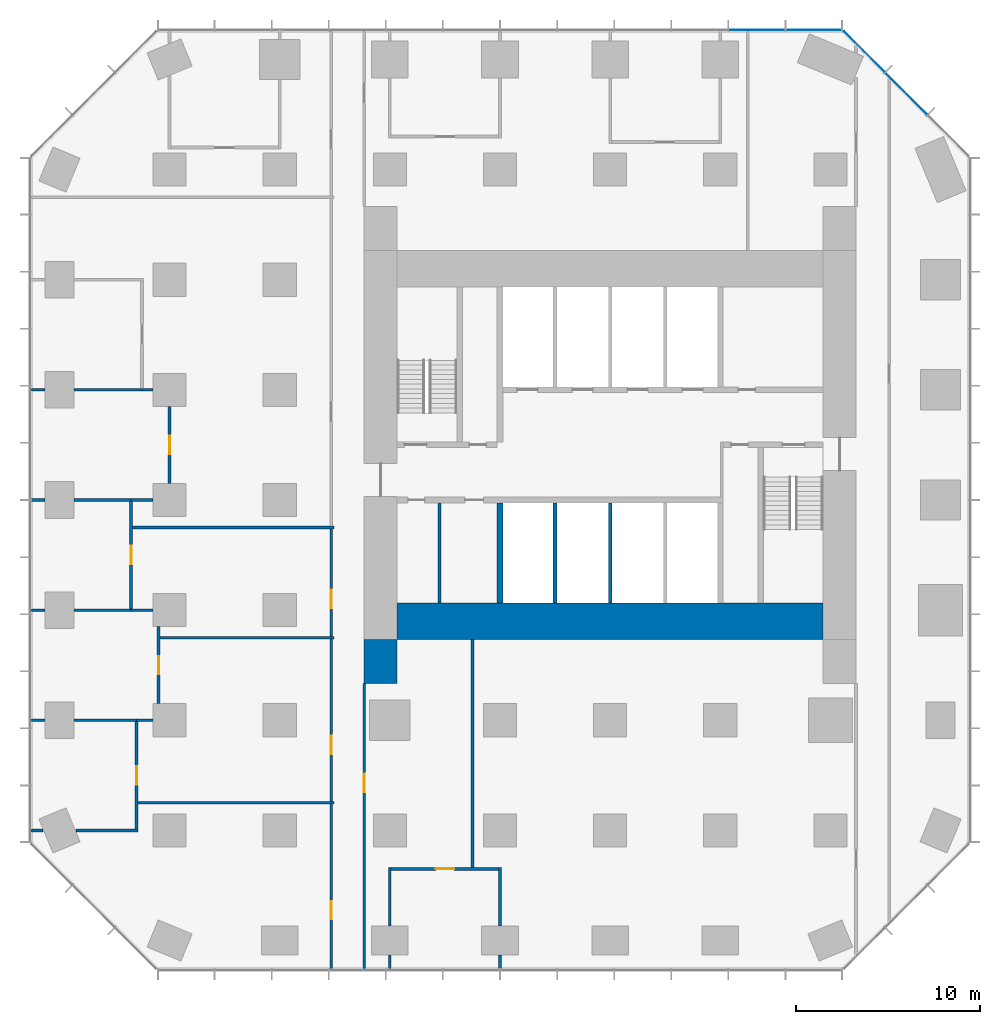
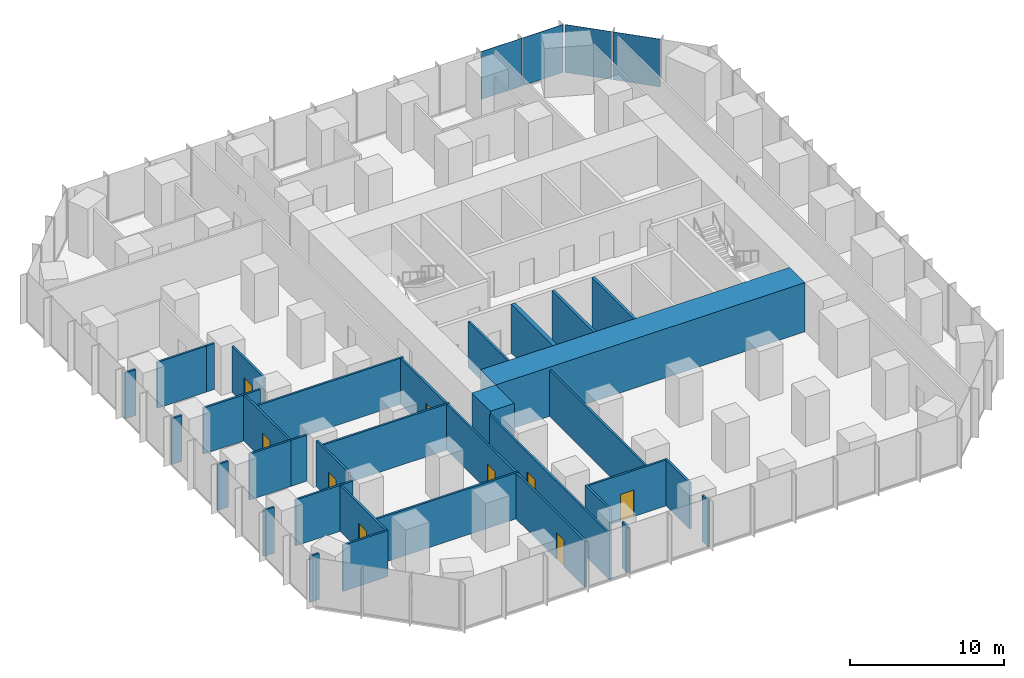
# One storey, part 8 of 11: 37 walls, 9 doors, 4 plates, 9 openings, 2 elements without a shape of their own.
"""IFC4 building model written with IfcOpenShell, lengths in metres."""

from ifc_helpers import new_model, si_unit, direction, frame, frame_2d, origin, origin_2d, place, context, subcontext, project, spatial, rectangle, extrude, material, layer, layer_set, type_object, element, fill, aggregate, save


model = new_model("IFC4")

# Units and contexts
model_context = context("Model", 3, precision=1e-05, world=origin(), true_north=direction((0.0, 1.0)))
body_context = subcontext(model_context, "Body", "Model", "MODEL_VIEW")
ifc_project = project(units=[si_unit("LENGTHUNIT", "METRE"), si_unit("AREAUNIT", "SQUARE_METRE"), si_unit("VOLUMEUNIT", "CUBIC_METRE"), si_unit("PLANEANGLEUNIT", "RADIAN"), si_unit("MASSUNIT", "GRAM", prefix="KILO")], contexts=[model_context])

# Site, building, storey
site_placement = place(None, origin())
site = spatial("IfcSite", under=ifc_project, at=site_placement, CompositionType="ELEMENT")
building_placement = place(site_placement, origin())
building = spatial("IfcBuilding", under=site, at=building_placement, Name="Highveld Stack Headquarters", CompositionType="ELEMENT")
storey_placement = place(building_placement, frame((0.0, 0.0, 29.89990234375)))
storey = spatial("IfcBuildingStorey", under=building, at=storey_placement, Name="L06", CompositionType="ELEMENT", Elevation=29.89990234375)

# Curtain wall, plates
ifc_material_1 = material(Name="Aluminium bronze anodised", Category="aluminium")
ifc_layer_1 = layer(ifc_material_1, 0.199951171875)
ifc_layer_set_1 = layer_set([ifc_layer_1], Name="Aluminium bronze anodised")
curtain_wall_type_1 = type_object("IfcCurtainWallType", Name="CW1 TOWER UNITISED CURTAIN WALL", PredefinedType="NOTDEFINED", material=ifc_layer_set_1)
curtain_wall_1_placement = place(storey_placement, origin())
curtain_wall_1 = element("IfcCurtainWall", 1, at=curtain_wall_1_placement, inside=storey, type_object=curtain_wall_type_1, Name="Curtain wall CW1 L06 N", PredefinedType="NOTDEFINED")
ifc_material_2 = material(Name="Glass bronze tinted double glazed unit", Category="glass")
ifc_layer_2 = layer(ifc_material_2, 0.028076171875)
ifc_layer_set_2 = layer_set([ifc_layer_2], Name="Glass bronze tinted double glazed unit")
plate_type_1 = type_object("IfcPlateType", Name="CW1 PANEL BRONZE TINTED DOUBLE GLAZED UNIT", PredefinedType="CURTAIN_PANEL", material=ifc_layer_set_2)
plate_1_placement = place(storey_placement, frame((17.09130859375, 25.60009765625, 0.10009765625), z_axis=(0.0, 0.0, 1.0), x_axis=(-1.0, 0.0, 0.0)))
plate_1 = element("IfcPlate", 2, at=plate_1_placement, type_object=plate_type_1, Name="CW1 panel L06 1.1", PredefinedType="CURTAIN_PANEL", context=body_context, shape_type="SweptSolid", body=[
    extrude(rectangle(XDim=3.012939453125, YDim=0.028076171875, at=origin_2d()), origin(), (0.0, 0.0, 1.0), 3.800048828125),
])
plate_2_placement = place(storey_placement, frame((13.9970703125, 25.60009765625, 0.10009765625), z_axis=(0.0, 0.0, 1.0), x_axis=(-1.0, 0.0, 0.0)))
plate_2 = element("IfcPlate", 3, at=plate_2_placement, type_object=plate_type_1, Name="CW1 panel L06 2.1", PredefinedType="CURTAIN_PANEL", context=body_context, shape_type="SweptSolid", body=[
    extrude(rectangle(XDim=3.04541015625, YDim=0.028076171875, at=origin_2d()), origin(), (0.0, 0.0, 1.0), 3.800048828125),
])
aggregate(curtain_wall_1, [plate_1, plate_2])

ifc_material_3 = material(Name="Aluminium bronze anodised", Category="aluminium")
ifc_layer_3 = layer(ifc_material_3, 0.199951171875)
ifc_layer_set_3 = layer_set([ifc_layer_3], Name="Aluminium bronze anodised")
curtain_wall_type_2 = type_object("IfcCurtainWallType", Name="CW2 TOWER CHAMFER UNITISED CURTAIN WALL", PredefinedType="NOTDEFINED", material=ifc_layer_set_3)
curtain_wall_2_placement = place(storey_placement, origin())
curtain_wall_2 = element("IfcCurtainWall", 4, at=curtain_wall_2_placement, inside=storey, type_object=curtain_wall_type_2, Name="Curtain wall CW2 L06 NE", PredefinedType="NOTDEFINED")
ifc_material_4 = material(Name="Glass bronze tinted double glazed unit", Category="glass")
ifc_layer_4 = layer(ifc_material_4, 0.028076171875)
ifc_layer_set_4 = layer_set([ifc_layer_4], Name="Glass bronze tinted double glazed unit")
plate_type_2 = type_object("IfcPlateType", Name="CW2 PANEL BRONZE TINTED DOUBLE GLAZED UNIT", PredefinedType="CURTAIN_PANEL", material=ifc_layer_set_4)
plate_3_placement = place(storey_placement, frame((22.13134765625, 22.13134765625, 0.10009765625), z_axis=(0.0, 0.0, 1.0), x_axis=(-0.707106781187, 0.707106781187, 0.0)))
plate_3 = element("IfcPlate", 5, at=plate_3_placement, type_object=plate_type_2, Name="CW2 panel L06 2.1", PredefinedType="CURTAIN_PANEL", context=body_context, shape_type="SweptSolid", body=[
    extrude(rectangle(XDim=3.205322265625, YDim=0.028076171875, at=origin_2d()), origin(), (0.0, 0.0, 1.0), 3.800048828125),
])
plate_4_placement = place(storey_placement, frame((19.8427734375, 24.419921875, 0.10009765625), z_axis=(0.0, 0.0, 1.0), x_axis=(-0.707106781187, 0.707106781187, 0.0)))
plate_4 = element("IfcPlate", 6, at=plate_4_placement, type_object=plate_type_2, Name="CW2 panel L06 3.1", PredefinedType="CURTAIN_PANEL", context=body_context, shape_type="SweptSolid", body=[
    extrude(rectangle(XDim=3.1376953125, YDim=0.028076171875, at=origin_2d()), origin(), (0.0, 0.0, 1.0), 3.800048828125),
])
aggregate(curtain_wall_2, [plate_3, plate_4])

# Walls
ifc_material_5 = material(Name="Concrete C60/75", Category="concrete")
ifc_layer_5 = layer(ifc_material_5, 2.0)
ifc_layer_set_5 = layer_set([ifc_layer_5], Name="Concrete C60/75")
wall_type_1 = type_object("IfcWallType", Name="CORE WALL 2000 C60/75", PredefinedType="SHEAR", material=ifc_layer_set_5)
wall_1_placement = place(storey_placement, frame((-5.60009765625, -6.60009765625, 0.0), z_axis=(0.0, 0.0, 1.0), x_axis=(1.0, 0.0, 0.0)))
element("IfcWall", 7, at=wall_1_placement, inside=storey, type_object=wall_type_1, Name="Core wall S L06", PredefinedType="SHEAR", context=body_context, shape_type="SweptSolid", body=[
    extrude(rectangle(XDim=23.2001953125, YDim=2.0, at=frame_2d((11.60009765625, 0.0))), origin(), (0.0, 0.0, 1.0), 3.900146484375),
])
ifc_material_6 = material(Name="Concrete C60/75", Category="concrete")
ifc_layer_6 = layer(ifc_material_6, 0.300048828125)
ifc_layer_set_6 = layer_set([ifc_layer_6], Name="Concrete C60/75")
wall_type_2 = type_object("IfcWallType", Name="CORE WALL 300 C60/75", PredefinedType="SHEAR", material=ifc_layer_set_6)
wall_2_placement = place(storey_placement, frame((0.0, -5.60009765625, 0.0), z_axis=(0.0, 0.0, 1.0), x_axis=(0.0, 1.0, 0.0)))
element("IfcWall", 8, at=wall_2_placement, inside=storey, type_object=wall_type_2, Name="Core wall I-X0S L06", PredefinedType="SHEAR", context=body_context, shape_type="SweptSolid", body=[
    extrude(rectangle(XDim=5.4501953125, YDim=0.300048828125, at=frame_2d((2.72509765625, 0.0))), origin(), (0.0, 0.0, 1.0), 3.900146484375),
])
ifc_material_7 = material(Name="Concrete C60/75", Category="concrete")
ifc_layer_7 = layer(ifc_material_7, 1.800048828125)
ifc_layer_set_7 = layer_set([ifc_layer_7], Name="Concrete C60/75")
wall_type_3 = type_object("IfcWallType", Name="CORE WING WALL 1800 C60/75", PredefinedType="SHEAR", material=ifc_layer_set_7)
wall_3_placement = place(storey_placement, frame((-6.5, -10.0, 0.0), z_axis=(0.0, 0.0, 1.0), x_axis=(0.0, 1.0, 0.0)))
element("IfcWall", 9, at=wall_3_placement, inside=storey, type_object=wall_type_3, Name="Core wing wall WS L06", PredefinedType="SHEAR", context=body_context, shape_type="SweptSolid", body=[
    extrude(rectangle(XDim=2.39990234375, YDim=1.800048828125, at=frame_2d((1.199951171875, 0.0))), origin(), (0.0, 0.0, 1.0), 3.900146484375),
])

# Wall, opening, door
ifc_material_8 = material(Name="Laminated glass in aluminium frame", Category="aluminium")
ifc_layer_8 = layer(ifc_material_8, 0.14990234375)
ifc_layer_set_8 = layer_set([ifc_layer_8], Name="Laminated glass in aluminium frame")
wall_type_4 = type_object("IfcWallType", Name="GLAZED PARTITION 150", PredefinedType="PARTITIONING", material=ifc_layer_set_8)
wall_4_placement = place(storey_placement, frame((-18.60009765625, -11.10009765625, 0.0), z_axis=(0.0, 0.0, 1.0), x_axis=(0.0, 1.0, 0.0)))
wall_4 = element("IfcWall", 10, at=wall_4_placement, inside=storey, type_object=wall_type_4, Name="Glazed partition Video conference room L06", PredefinedType="PARTITIONING", context=body_context, shape_type="SweptSolid", body=[
    extrude(rectangle(XDim=4.2001953125, YDim=0.14990234375, at=frame_2d((2.10009765625, 0.0))), origin(), (0.0, 0.0, 1.0), 3.650146484375),
])
opening_1_placement = place(wall_4_placement, frame((1.60009765625, 0.0, 0.0)))
opening_1 = element("IfcOpeningElement", 11, at=opening_1_placement, cuts=wall_4, Name="Opening L06-12", PredefinedType="OPENING", context=body_context, shape_type="SweptSolid", body=[
    extrude(rectangle(XDim=1.0, YDim=2.10009765625, at=frame_2d((0.5, 1.050048828125))), frame((0.0, 0.0849609375, 0.0), z_axis=(0.0, -1.0, 0.0), x_axis=(1.0, 0.0, 0.0)), (0.0, 0.0, 1.0), 0.169921875),
])
ifc_material_9 = material(Name="Timber door, oiled ash", Category="wood")
door_type = type_object("IfcDoorType", Name="ROOM DOOR D6 1000x2100", OperationType="SINGLE_SWING_LEFT", PredefinedType="DOOR", material=ifc_material_9)
door_1_placement = place(opening_1_placement, origin())
door_1 = element("IfcDoor", 12, at=door_1_placement, inside=storey, type_object=door_type, Name="Video conference room door 1 L06", OperationType="SINGLE_SWING_LEFT", OverallHeight=2.10009765625, OverallWidth=1.0, PredefinedType="DOOR", context=body_context, shape_type="SweptSolid", body=[
    extrude(rectangle(XDim=1.0, YDim=2.10009765625, at=frame_2d((0.5, 1.050048828125))), frame((0.0, 0.02490234375, 0.0), z_axis=(0.0, -1.0, 0.0), x_axis=(1.0, 0.0, 0.0)), (0.0, 0.0, 1.0), 0.050048828125),
])
fill(opening_1, door_1)

wall_5_placement = place(storey_placement, frame((-18.0, 0.89990234375, 0.0), z_axis=(0.0, 0.0, 1.0), x_axis=(0.0, 1.0, 0.0)))
wall_5 = element("IfcWall", 13, at=wall_5_placement, inside=storey, type_object=wall_type_4, Name="Glazed partition Meeting room L06", PredefinedType="PARTITIONING", context=body_context, shape_type="SweptSolid", body=[
    extrude(rectangle(XDim=4.2001953125, YDim=0.14990234375, at=frame_2d((2.10009765625, 0.0))), origin(), (0.0, 0.0, 1.0), 3.650146484375),
])
opening_2_placement = place(wall_5_placement, frame((1.60009765625, 0.0, 0.0)))
opening_2 = element("IfcOpeningElement", 14, at=opening_2_placement, cuts=wall_5, Name="Opening L06-14", PredefinedType="OPENING", context=body_context, shape_type="SweptSolid", body=[
    extrude(rectangle(XDim=1.0, YDim=2.10009765625, at=frame_2d((0.5, 1.050048828125))), frame((0.0, 0.0849609375, 0.0), z_axis=(0.0, -1.0, 0.0), x_axis=(1.0, 0.0, 0.0)), (0.0, 0.0, 1.0), 0.169921875),
])
door_2_placement = place(opening_2_placement, origin())
door_2 = element("IfcDoor", 15, at=door_2_placement, inside=storey, type_object=door_type, Name="Meeting room door 1 L06", OperationType="SINGLE_SWING_RIGHT", OverallHeight=2.10009765625, OverallWidth=1.0, PredefinedType="DOOR", context=body_context, shape_type="SweptSolid", body=[
    extrude(rectangle(XDim=1.0, YDim=2.10009765625, at=frame_2d((0.5, 1.050048828125))), frame((0.0, 0.02490234375, 0.0), z_axis=(0.0, -1.0, 0.0), x_axis=(1.0, 0.0, 0.0)), (0.0, 0.0, 1.0), 0.050048828125),
])
fill(opening_2, door_2)

# Walls
ifc_material_10 = material(Name="Concrete blockwork, fair-faced", Category="masonry")
ifc_layer_9 = layer(ifc_material_10, 0.199951171875)
ifc_layer_set_9 = layer_set([ifc_layer_9], Name="Concrete blockwork, fair-faced")
wall_type_5 = type_object("IfcWallType", Name="LIFT SHAFT ENCLOSURE WALL 200 BLOCKWORK", PredefinedType="SOLIDWALL", material=ifc_layer_set_9)
for number, where, z_axis, x_axis, name in (
    (16, (3.0, -5.60009765625, 0.0), (0.0, 0.0, 1.0), (0.0, 1.0, 0.0), "Lift shaft wall L06"),
    (17, (6.0, -5.60009765625, 0.0), (0.0, 0.0, 1.0), (0.0, 1.0, 0.0), "Lift shaft wall L06"),
):
    element("IfcWall", number, at=place(storey_placement, frame(where, z_axis=z_axis, x_axis=x_axis)), inside=storey, type_object=wall_type_5, Name=name, PredefinedType="SOLIDWALL", context=body_context, shape_type="SweptSolid", body=[
        extrude(rectangle(XDim=5.4501953125, YDim=0.199951171875, at=frame_2d((2.72509765625, 0.0))), origin(), (0.0, 0.0, 1.0), 3.900146484375),
    ])

# Wall, opening, door
ifc_material_11 = material(Name="Gypsum plasterboard on steel studs", Category="steel")
ifc_layer_10 = layer(ifc_material_11, 0.14990234375)
ifc_layer_set_10 = layer_set([ifc_layer_10], Name="Gypsum plasterboard on steel studs")
wall_type_6 = type_object("IfcWallType", Name="PARTITION 150 PLASTERBOARD", PredefinedType="PARTITIONING", material=ifc_layer_set_10)
wall_6_placement = place(storey_placement, frame((-5.925048828125, -20.10009765625, 0.0), z_axis=(0.0, 0.0, 1.0), x_axis=(1.0, 0.0, 0.0)))
wall_6 = element("IfcWall", 18, at=wall_6_placement, inside=storey, type_object=wall_type_6, Name="Partition Focus room L06", PredefinedType="PARTITIONING", context=body_context, shape_type="SweptSolid", body=[
    extrude(rectangle(XDim=5.85009765625, YDim=0.14990234375, at=frame_2d((2.925048828125, 0.0))), origin(), (0.0, 0.0, 1.0), 3.650146484375),
])
opening_3_placement = place(wall_6_placement, frame((2.425048828125, 0.0, 0.0)))
opening_3 = element("IfcOpeningElement", 19, at=opening_3_placement, cuts=wall_6, Name="Opening L06-10", PredefinedType="OPENING", context=body_context, shape_type="SweptSolid", body=[
    extrude(rectangle(XDim=1.0, YDim=2.10009765625, at=frame_2d((0.5, 1.050048828125))), frame((0.0, 0.0849609375, 0.0), z_axis=(0.0, -1.0, 0.0), x_axis=(1.0, 0.0, 0.0)), (0.0, 0.0, 1.0), 0.169921875),
])
door_3_placement = place(opening_3_placement, origin())
door_3 = element("IfcDoor", 20, at=door_3_placement, inside=storey, type_object=door_type, Name="Focus room door 1 L06", OperationType="SINGLE_SWING_RIGHT", OverallHeight=2.10009765625, OverallWidth=1.0, PredefinedType="DOOR", context=body_context, shape_type="SweptSolid", body=[
    extrude(rectangle(XDim=1.0, YDim=2.10009765625, at=frame_2d((0.5, 1.050048828125))), frame((0.0, 0.02490234375, 0.0), z_axis=(0.0, -1.0, 0.0), x_axis=(1.0, 0.0, 0.0)), (0.0, 0.0, 1.0), 0.050048828125),
])
fill(opening_3, door_3)

# Walls
wall_7_placement = place(storey_placement, frame((-25.60009765625, -18.0, 0.0), z_axis=(0.0, 0.0, 1.0), x_axis=(1.0, 0.0, 0.0)))
element("IfcWall", 21, at=wall_7_placement, inside=storey, type_object=wall_type_6, Name="Partition Print room L06", PredefinedType="PARTITIONING", context=body_context, shape_type="SweptSolid", body=[
    extrude(rectangle(XDim=0.703125, YDim=0.14990234375, at=frame_2d((0.3515625, 0.0))), origin(), (0.0, 0.0, 1.0), 3.650146484375),
])
wall_8_placement = place(storey_placement, frame((-23.10302734375, -18.0, 0.0), z_axis=(0.0, 0.0, 1.0), x_axis=(1.0, 0.0, 0.0)))
element("IfcWall", 22, at=wall_8_placement, inside=storey, type_object=wall_type_6, Name="Partition Print room L06", PredefinedType="PARTITIONING", context=body_context, shape_type="SweptSolid", body=[
    extrude(rectangle(XDim=3.3779296875, YDim=0.14990234375, at=frame_2d((1.68896484375, 0.0))), origin(), (0.0, 0.0, 1.0), 3.650146484375),
])
wall_9_placement = place(storey_placement, frame((-25.60009765625, -12.0, 0.0), z_axis=(0.0, 0.0, 1.0), x_axis=(1.0, 0.0, 0.0)))
element("IfcWall", 23, at=wall_9_placement, inside=storey, type_object=wall_type_6, Name="Partition Print room / Video conference room L06", PredefinedType="PARTITIONING", context=body_context, shape_type="SweptSolid", body=[
    extrude(rectangle(XDim=0.800048828125, YDim=0.14990234375, at=frame_2d((0.39990234375, 0.0))), origin(), (0.0, 0.0, 1.0), 3.650146484375),
])
wall_10_placement = place(storey_placement, frame((-23.199951171875, -12.0, 0.0), z_axis=(0.0, 0.0, 1.0), x_axis=(1.0, 0.0, 0.0)))
element("IfcWall", 24, at=wall_10_placement, inside=storey, type_object=wall_type_6, Name="Partition Print room / Video conference room L06", PredefinedType="PARTITIONING", context=body_context, shape_type="SweptSolid", body=[
    extrude(rectangle(XDim=3.474853515625, YDim=0.14990234375, at=frame_2d((1.7373046875, 0.0))), origin(), (0.0, 0.0, 1.0), 3.650146484375),
])
wall_11_placement = place(storey_placement, frame((-19.800048828125, -12.0, 0.0), z_axis=(0.0, 0.0, 1.0), x_axis=(1.0, 0.0, 0.0)))
element("IfcWall", 25, at=wall_11_placement, inside=storey, type_object=wall_type_6, Name="Partition Video conference room L06", PredefinedType="PARTITIONING", context=body_context, shape_type="SweptSolid", body=[
    extrude(rectangle(XDim=0.900146484375, YDim=0.14990234375, at=frame_2d((0.4501953125, 0.0))), origin(), (0.0, 0.0, 1.0), 3.650146484375),
])
wall_12_placement = place(storey_placement, frame((-25.60009765625, -6.0, 0.0), z_axis=(0.0, 0.0, 1.0), x_axis=(1.0, 0.0, 0.0)))
element("IfcWall", 26, at=wall_12_placement, inside=storey, type_object=wall_type_6, Name="Partition Focus room / Video conference room L06", PredefinedType="PARTITIONING", context=body_context, shape_type="SweptSolid", body=[
    extrude(rectangle(XDim=0.800048828125, YDim=0.14990234375, at=frame_2d((0.39990234375, 0.0))), origin(), (0.0, 0.0, 1.0), 3.650146484375),
])
wall_13_placement = place(storey_placement, frame((-23.199951171875, -6.0, 0.0), z_axis=(0.0, 0.0, 1.0), x_axis=(1.0, 0.0, 0.0)))
element("IfcWall", 27, at=wall_13_placement, inside=storey, type_object=wall_type_6, Name="Partition Focus room / Video conference room L06", PredefinedType="PARTITIONING", context=body_context, shape_type="SweptSolid", body=[
    extrude(rectangle(XDim=3.175048828125, YDim=0.14990234375, at=frame_2d((1.58740234375, 0.0))), origin(), (0.0, 0.0, 1.0), 3.650146484375),
])
wall_14_placement = place(storey_placement, frame((-20.10009765625, -6.0, 0.0), z_axis=(0.0, 0.0, 1.0), x_axis=(1.0, 0.0, 0.0)))
element("IfcWall", 28, at=wall_14_placement, inside=storey, type_object=wall_type_6, Name="Partition Video conference room L06", PredefinedType="PARTITIONING", context=body_context, shape_type="SweptSolid", body=[
    extrude(rectangle(XDim=1.2001953125, YDim=0.14990234375, at=frame_2d((0.60009765625, 0.0))), origin(), (0.0, 0.0, 1.0), 3.650146484375),
])
wall_15_placement = place(storey_placement, frame((-25.550048828125, 0.0, 0.0), z_axis=(0.0, 0.0, 1.0), x_axis=(1.0, 0.0, 0.0)))
element("IfcWall", 29, at=wall_15_placement, inside=storey, type_object=wall_type_6, Name="Partition Focus room / Meeting room L06", PredefinedType="PARTITIONING", context=body_context, shape_type="SweptSolid", body=[
    extrude(rectangle(XDim=0.75, YDim=0.14990234375, at=frame_2d((0.375, 0.0))), origin(), (0.0, 0.0, 1.0), 3.650146484375),
])
wall_16_placement = place(storey_placement, frame((-23.199951171875, 0.0, 0.0), z_axis=(0.0, 0.0, 1.0), x_axis=(1.0, 0.0, 0.0)))
element("IfcWall", 30, at=wall_16_placement, inside=storey, type_object=wall_type_6, Name="Partition Focus room / Meeting room L06", PredefinedType="PARTITIONING", context=body_context, shape_type="SweptSolid", body=[
    extrude(rectangle(XDim=3.175048828125, YDim=0.14990234375, at=frame_2d((1.58740234375, 0.0))), origin(), (0.0, 0.0, 1.0), 3.650146484375),
])
wall_17_placement = place(storey_placement, frame((-20.10009765625, 0.0, 0.0), z_axis=(0.0, 0.0, 1.0), x_axis=(1.0, 0.0, 0.0)))
element("IfcWall", 31, at=wall_17_placement, inside=storey, type_object=wall_type_6, Name="Partition Meeting room L06", PredefinedType="PARTITIONING", context=body_context, shape_type="SweptSolid", body=[
    extrude(rectangle(XDim=1.2001953125, YDim=0.14990234375, at=frame_2d((0.60009765625, 0.0))), origin(), (0.0, 0.0, 1.0), 3.650146484375),
])
wall_18_placement = place(storey_placement, frame((-25.60009765625, 6.0, 0.0), z_axis=(0.0, 0.0, 1.0), x_axis=(1.0, 0.0, 0.0)))
element("IfcWall", 32, at=wall_18_placement, inside=storey, type_object=wall_type_6, Name="Partition Meeting room / Quiet room L06", PredefinedType="PARTITIONING", context=body_context, shape_type="SweptSolid", body=[
    extrude(rectangle(XDim=0.800048828125, YDim=0.14990234375, at=frame_2d((0.39990234375, 0.0))), origin(), (0.0, 0.0, 1.0), 3.650146484375),
])
wall_19_placement = place(storey_placement, frame((-23.199951171875, 6.0, 0.0), z_axis=(0.0, 0.0, 1.0), x_axis=(1.0, 0.0, 0.0)))
element("IfcWall", 33, at=wall_19_placement, inside=storey, type_object=wall_type_6, Name="Partition Meeting room / Quiet room L06", PredefinedType="PARTITIONING", context=body_context, shape_type="SweptSolid", body=[
    extrude(rectangle(XDim=3.77490234375, YDim=0.14990234375, at=frame_2d((1.887451171875, 0.0))), origin(), (0.0, 0.0, 1.0), 3.650146484375),
])
wall_20_placement = place(storey_placement, frame((-19.5, 6.0, 0.0), z_axis=(0.0, 0.0, 1.0), x_axis=(1.0, 0.0, 0.0)))
element("IfcWall", 34, at=wall_20_placement, inside=storey, type_object=wall_type_6, Name="Partition Meeting room L06", PredefinedType="PARTITIONING", context=body_context, shape_type="SweptSolid", body=[
    extrude(rectangle(XDim=0.60009765625, YDim=0.14990234375, at=frame_2d((0.300048828125, 0.0))), origin(), (0.0, 0.0, 1.0), 3.650146484375),
])

# Wall, opening, door
wall_21_placement = place(storey_placement, frame((-20.10009765625, -5.925048828125, 0.0), z_axis=(0.0, 0.0, 1.0), x_axis=(0.0, 1.0, 0.0)))
wall_21 = element("IfcWall", 35, at=wall_21_placement, inside=storey, type_object=wall_type_6, Name="Partition Focus room L06", PredefinedType="PARTITIONING", context=body_context, shape_type="SweptSolid", body=[
    extrude(rectangle(XDim=5.85009765625, YDim=0.14990234375, at=frame_2d((2.925048828125, 0.0))), origin(), (0.0, 0.0, 1.0), 3.650146484375),
])
opening_4_placement = place(wall_21_placement, frame((2.425048828125, 0.0, 0.0)))
opening_4 = element("IfcOpeningElement", 36, at=opening_4_placement, cuts=wall_21, Name="Opening L06-13", PredefinedType="OPENING", context=body_context, shape_type="SweptSolid", body=[
    extrude(rectangle(XDim=1.0, YDim=2.10009765625, at=frame_2d((0.5, 1.050048828125))), frame((0.0, 0.0849609375, 0.0), z_axis=(0.0, -1.0, 0.0), x_axis=(1.0, 0.0, 0.0)), (0.0, 0.0, 1.0), 0.169921875),
])
door_4_placement = place(opening_4_placement, origin())
door_4 = element("IfcDoor", 37, at=door_4_placement, inside=storey, type_object=door_type, Name="Focus room door 1 L06", OperationType="SINGLE_SWING_LEFT", OverallHeight=2.10009765625, OverallWidth=1.0, PredefinedType="DOOR", context=body_context, shape_type="SweptSolid", body=[
    extrude(rectangle(XDim=1.0, YDim=2.10009765625, at=frame_2d((0.5, 1.050048828125))), frame((0.0, 0.02490234375, 0.0), z_axis=(0.0, -1.0, 0.0), x_axis=(1.0, 0.0, 0.0)), (0.0, 0.0, 1.0), 0.050048828125),
])
fill(opening_4, door_4)

wall_22_placement = place(storey_placement, frame((-19.800048828125, -17.925048828125, 0.0), z_axis=(0.0, 0.0, 1.0), x_axis=(0.0, 1.0, 0.0)))
wall_22 = element("IfcWall", 38, at=wall_22_placement, inside=storey, type_object=wall_type_6, Name="Partition Print room L06", PredefinedType="PARTITIONING", context=body_context, shape_type="SweptSolid", body=[
    extrude(rectangle(XDim=5.85009765625, YDim=0.14990234375, at=frame_2d((2.925048828125, 0.0))), origin(), (0.0, 0.0, 1.0), 3.650146484375),
])
opening_5_placement = place(wall_22_placement, frame((2.425048828125, 0.0, 0.0)))
opening_5 = element("IfcOpeningElement", 39, at=opening_5_placement, cuts=wall_22, Name="Opening L06-11", PredefinedType="OPENING", context=body_context, shape_type="SweptSolid", body=[
    extrude(rectangle(XDim=1.0, YDim=2.10009765625, at=frame_2d((0.5, 1.050048828125))), frame((0.0, 0.0849609375, 0.0), z_axis=(0.0, -1.0, 0.0), x_axis=(1.0, 0.0, 0.0)), (0.0, 0.0, 1.0), 0.169921875),
])
door_5_placement = place(opening_5_placement, origin())
door_5 = element("IfcDoor", 40, at=door_5_placement, inside=storey, type_object=door_type, Name="Print room door 1 L06", OperationType="SINGLE_SWING_LEFT", OverallHeight=2.10009765625, OverallWidth=1.0, PredefinedType="DOOR", context=body_context, shape_type="SweptSolid", body=[
    extrude(rectangle(XDim=1.0, YDim=2.10009765625, at=frame_2d((0.5, 1.050048828125))), frame((0.0, 0.02490234375, 0.0), z_axis=(0.0, -1.0, 0.0), x_axis=(1.0, 0.0, 0.0)), (0.0, 0.0, 1.0), 0.050048828125),
])
fill(opening_5, door_5)

# Walls
wall_23_placement = place(storey_placement, frame((-6.0, -25.60009765625, 0.0), z_axis=(0.0, 0.0, 1.0), x_axis=(0.0, 1.0, 0.0)))
element("IfcWall", 41, at=wall_23_placement, inside=storey, type_object=wall_type_6, Name="Partition Focus room L06", PredefinedType="PARTITIONING", context=body_context, shape_type="SweptSolid", body=[
    extrude(rectangle(XDim=0.800048828125, YDim=0.14990234375, at=frame_2d((0.39990234375, 0.0))), origin(), (0.0, 0.0, 1.0), 3.650146484375),
])
wall_24_placement = place(storey_placement, frame((-6.0, -23.199951171875, 0.0), z_axis=(0.0, 0.0, 1.0), x_axis=(0.0, 1.0, 0.0)))
element("IfcWall", 42, at=wall_24_placement, inside=storey, type_object=wall_type_6, Name="Partition Focus room L06", PredefinedType="PARTITIONING", context=body_context, shape_type="SweptSolid", body=[
    extrude(rectangle(XDim=3.175048828125, YDim=0.14990234375, at=frame_2d((1.58740234375, 0.0))), origin(), (0.0, 0.0, 1.0), 3.650146484375),
])
wall_25_placement = place(storey_placement, frame((0.0, -25.550048828125, 0.0), z_axis=(0.0, 0.0, 1.0), x_axis=(0.0, 1.0, 0.0)))
element("IfcWall", 43, at=wall_25_placement, inside=storey, type_object=wall_type_6, Name="Partition Focus room L06", PredefinedType="PARTITIONING", context=body_context, shape_type="SweptSolid", body=[
    extrude(rectangle(XDim=0.75, YDim=0.14990234375, at=frame_2d((0.375, 0.0))), origin(), (0.0, 0.0, 1.0), 3.650146484375),
])
wall_26_placement = place(storey_placement, frame((0.0, -23.199951171875, 0.0), z_axis=(0.0, 0.0, 1.0), x_axis=(0.0, 1.0, 0.0)))
element("IfcWall", 44, at=wall_26_placement, inside=storey, type_object=wall_type_6, Name="Partition Focus room L06", PredefinedType="PARTITIONING", context=body_context, shape_type="SweptSolid", body=[
    extrude(rectangle(XDim=3.175048828125, YDim=0.14990234375, at=frame_2d((1.58740234375, 0.0))), origin(), (0.0, 0.0, 1.0), 3.650146484375),
])
wall_27_placement = place(storey_placement, frame((-20.02490234375, -1.5, 0.0), z_axis=(0.0, 0.0, 1.0), x_axis=(1.0, 0.0, 0.0)))
element("IfcWall", 45, at=wall_27_placement, inside=storey, type_object=wall_type_6, Name="Partition office neighbourhood L06", PredefinedType="PARTITIONING", context=body_context, shape_type="SweptSolid", body=[
    extrude(rectangle(XDim=10.974853515625, YDim=0.14990234375, at=frame_2d((5.4873046875, 0.0))), origin(), (0.0, 0.0, 1.0), 3.650146484375),
])
wall_28_placement = place(storey_placement, frame((-19.72509765625, -16.5, 0.0), z_axis=(0.0, 0.0, 1.0), x_axis=(1.0, 0.0, 0.0)))
element("IfcWall", 46, at=wall_28_placement, inside=storey, type_object=wall_type_6, Name="Partition office neighbourhood L06", PredefinedType="PARTITIONING", context=body_context, shape_type="SweptSolid", body=[
    extrude(rectangle(XDim=10.675048828125, YDim=0.14990234375, at=frame_2d((5.33740234375, 0.0))), origin(), (0.0, 0.0, 1.0), 3.650146484375),
])
wall_29_placement = place(storey_placement, frame((-18.52490234375, -7.5, 0.0), z_axis=(0.0, 0.0, 1.0), x_axis=(1.0, 0.0, 0.0)))
element("IfcWall", 47, at=wall_29_placement, inside=storey, type_object=wall_type_6, Name="Partition office neighbourhood L06", PredefinedType="PARTITIONING", context=body_context, shape_type="SweptSolid", body=[
    extrude(rectangle(XDim=9.474853515625, YDim=0.14990234375, at=frame_2d((4.7373046875, 0.0))), origin(), (0.0, 0.0, 1.0), 3.650146484375),
])

# Wall, opening, door
wall_30_placement = place(storey_placement, frame((-9.199951171875, -25.550048828125, 0.0), z_axis=(0.0, 0.0, 1.0), x_axis=(0.0, 1.0, 0.0)))
wall_30 = element("IfcWall", 48, at=wall_30_placement, inside=storey, type_object=wall_type_6, Name="Partition office neighbourhood L06", PredefinedType="PARTITIONING", context=body_context, shape_type="SweptSolid", body=[
    extrude(rectangle(XDim=8.97509765625, YDim=0.14990234375, at=frame_2d((4.487548828125, 0.0))), origin(), (0.0, 0.0, 1.0), 3.650146484375),
])
opening_6_placement = place(wall_30_placement, frame((2.699951171875, 0.0, 0.0)))
opening_6 = element("IfcOpeningElement", 49, at=opening_6_placement, cuts=wall_30, Name="Opening L06-19", PredefinedType="OPENING", context=body_context, shape_type="SweptSolid", body=[
    extrude(rectangle(XDim=1.0, YDim=2.10009765625, at=frame_2d((0.5, 1.050048828125))), frame((0.0, 0.0849609375, 0.0), z_axis=(0.0, -1.0, 0.0), x_axis=(1.0, 0.0, 0.0)), (0.0, 0.0, 1.0), 0.169921875),
])
door_6_placement = place(opening_6_placement, origin())
door_6 = element("IfcDoor", 50, at=door_6_placement, inside=storey, type_object=door_type, Name="Office neighbourhood door L06", OperationType="SINGLE_SWING_LEFT", OverallHeight=2.10009765625, OverallWidth=1.0, PredefinedType="DOOR", context=body_context, shape_type="SweptSolid", body=[
    extrude(rectangle(XDim=1.0, YDim=2.10009765625, at=frame_2d((0.5, 1.050048828125))), frame((0.0, 0.02490234375, 0.0), z_axis=(0.0, -1.0, 0.0), x_axis=(1.0, 0.0, 0.0)), (0.0, 0.0, 1.0), 0.050048828125),
])
fill(opening_6, door_6)

wall_31_placement = place(storey_placement, frame((-9.199951171875, -16.425048828125, 0.0), z_axis=(0.0, 0.0, 1.0), x_axis=(0.0, 1.0, 0.0)))
wall_31 = element("IfcWall", 51, at=wall_31_placement, inside=storey, type_object=wall_type_6, Name="Partition office neighbourhood L06", PredefinedType="PARTITIONING", context=body_context, shape_type="SweptSolid", body=[
    extrude(rectangle(XDim=8.85009765625, YDim=0.14990234375, at=frame_2d((4.425048828125, 0.0))), origin(), (0.0, 0.0, 1.0), 3.650146484375),
])
opening_7_placement = place(wall_31_placement, frame((2.574951171875, 0.0, 0.0)))
opening_7 = element("IfcOpeningElement", 52, at=opening_7_placement, cuts=wall_31, Name="Opening L06-22", PredefinedType="OPENING", context=body_context, shape_type="SweptSolid", body=[
    extrude(rectangle(XDim=1.0, YDim=2.10009765625, at=frame_2d((0.5, 1.050048828125))), frame((0.0, 0.0849609375, 0.0), z_axis=(0.0, -1.0, 0.0), x_axis=(1.0, 0.0, 0.0)), (0.0, 0.0, 1.0), 0.169921875),
])
door_7_placement = place(opening_7_placement, origin())
door_7 = element("IfcDoor", 53, at=door_7_placement, inside=storey, type_object=door_type, Name="Office neighbourhood door L06", OperationType="SINGLE_SWING_LEFT", OverallHeight=2.10009765625, OverallWidth=1.0, PredefinedType="DOOR", context=body_context, shape_type="SweptSolid", body=[
    extrude(rectangle(XDim=1.0, YDim=2.10009765625, at=frame_2d((0.5, 1.050048828125))), frame((0.0, 0.02490234375, 0.0), z_axis=(0.0, -1.0, 0.0), x_axis=(1.0, 0.0, 0.0)), (0.0, 0.0, 1.0), 0.050048828125),
])
fill(opening_7, door_7)

wall_32_placement = place(storey_placement, frame((-9.199951171875, -7.425048828125, 0.0), z_axis=(0.0, 0.0, 1.0), x_axis=(0.0, 1.0, 0.0)))
wall_32 = element("IfcWall", 54, at=wall_32_placement, inside=storey, type_object=wall_type_6, Name="Partition office neighbourhood L06", PredefinedType="PARTITIONING", context=body_context, shape_type="SweptSolid", body=[
    extrude(rectangle(XDim=5.85009765625, YDim=0.14990234375, at=frame_2d((2.925048828125, 0.0))), origin(), (0.0, 0.0, 1.0), 3.650146484375),
])
opening_8_placement = place(wall_32_placement, frame((1.52490234375, 0.0, 0.0)))
opening_8 = element("IfcOpeningElement", 55, at=opening_8_placement, cuts=wall_32, Name="Opening L06-23", PredefinedType="OPENING", context=body_context, shape_type="SweptSolid", body=[
    extrude(rectangle(XDim=1.0, YDim=2.10009765625, at=frame_2d((0.5, 1.050048828125))), frame((0.0, 0.0849609375, 0.0), z_axis=(0.0, -1.0, 0.0), x_axis=(1.0, 0.0, 0.0)), (0.0, 0.0, 1.0), 0.169921875),
])
door_8_placement = place(opening_8_placement, origin())
door_8 = element("IfcDoor", 56, at=door_8_placement, inside=storey, type_object=door_type, Name="Office neighbourhood door L06", OperationType="SINGLE_SWING_LEFT", OverallHeight=2.10009765625, OverallWidth=1.0, PredefinedType="DOOR", context=body_context, shape_type="SweptSolid", body=[
    extrude(rectangle(XDim=1.0, YDim=2.10009765625, at=frame_2d((0.5, 1.050048828125))), frame((0.0, 0.02490234375, 0.0), z_axis=(0.0, -1.0, 0.0), x_axis=(1.0, 0.0, 0.0)), (0.0, 0.0, 1.0), 0.050048828125),
])
fill(opening_8, door_8)

wall_33_placement = place(storey_placement, frame((-7.39990234375, -25.60009765625, 0.0), z_axis=(0.0, 0.0, 1.0), x_axis=(0.0, 1.0, 0.0)))
wall_33 = element("IfcWall", 57, at=wall_33_placement, inside=storey, type_object=wall_type_6, Name="Partition office neighbourhood L06", PredefinedType="PARTITIONING", context=body_context, shape_type="SweptSolid", body=[
    extrude(rectangle(XDim=15.60009765625, YDim=0.14990234375, at=frame_2d((7.800048828125, 0.0))), origin(), (0.0, 0.0, 1.0), 3.650146484375),
])
opening_9_placement = place(wall_33_placement, frame((9.675048828125, 0.0, 0.0)))
opening_9 = element("IfcOpeningElement", 58, at=opening_9_placement, cuts=wall_33, Name="Opening L06-21", PredefinedType="OPENING", context=body_context, shape_type="SweptSolid", body=[
    extrude(rectangle(XDim=1.0, YDim=2.10009765625, at=frame_2d((0.5, 1.050048828125))), frame((0.0, 0.0849609375, 0.0), z_axis=(0.0, -1.0, 0.0), x_axis=(1.0, 0.0, 0.0)), (0.0, 0.0, 1.0), 0.169921875),
])
door_9_placement = place(opening_9_placement, origin())
door_9 = element("IfcDoor", 59, at=door_9_placement, inside=storey, type_object=door_type, Name="Office neighbourhood door L06", OperationType="SINGLE_SWING_RIGHT", OverallHeight=2.10009765625, OverallWidth=1.0, PredefinedType="DOOR", context=body_context, shape_type="SweptSolid", body=[
    extrude(rectangle(XDim=1.0, YDim=2.10009765625, at=frame_2d((0.5, 1.050048828125))), frame((0.0, 0.02490234375, 0.0), z_axis=(0.0, -1.0, 0.0), x_axis=(1.0, 0.0, 0.0)), (0.0, 0.0, 1.0), 0.050048828125),
])
fill(opening_9, door_9)

# Walls
wall_34_placement = place(storey_placement, frame((-1.5, -20.02490234375, 0.0), z_axis=(0.0, 0.0, 1.0), x_axis=(0.0, 1.0, 0.0)))
element("IfcWall", 60, at=wall_34_placement, inside=storey, type_object=wall_type_6, Name="Partition office neighbourhood L06", PredefinedType="PARTITIONING", context=body_context, shape_type="SweptSolid", body=[
    extrude(rectangle(XDim=12.4248046875, YDim=0.14990234375, at=frame_2d((6.21240234375, 0.0))), origin(), (0.0, 0.0, 1.0), 3.650146484375),
])
ifc_material_12 = material(Name="Concrete blockwork, tiled", Category="masonry")
ifc_layer_11 = layer(ifc_material_12, 0.14990234375)
ifc_layer_set_11 = layer_set([ifc_layer_11], Name="Concrete blockwork, tiled")
wall_type_7 = type_object("IfcWallType", Name="WC PARTITION 150", PredefinedType="PLUMBINGWALL", material=ifc_layer_set_11)
wall_35_placement = place(storey_placement, frame((-3.300048828125, -5.60009765625, 0.0), z_axis=(0.0, 0.0, 1.0), x_axis=(0.0, 1.0, 0.0)))
element("IfcWall", 61, at=wall_35_placement, inside=storey, type_object=wall_type_7, Name="Toilet partition L06", PredefinedType="PLUMBINGWALL", context=body_context, shape_type="SweptSolid", body=[
    extrude(rectangle(XDim=5.4501953125, YDim=0.14990234375, at=frame_2d((2.72509765625, 0.0))), origin(), (0.0, 0.0, 1.0), 3.650146484375),
])

save(model, "model.ifc")
